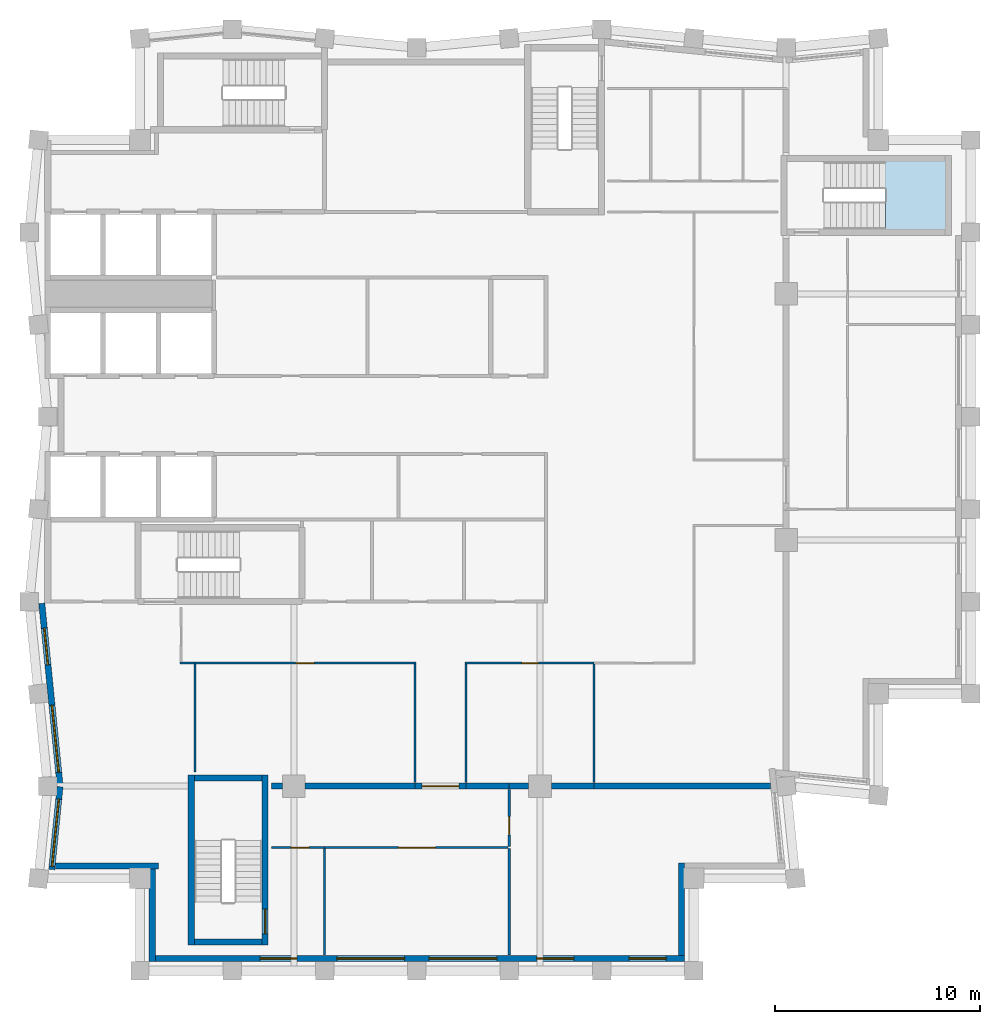
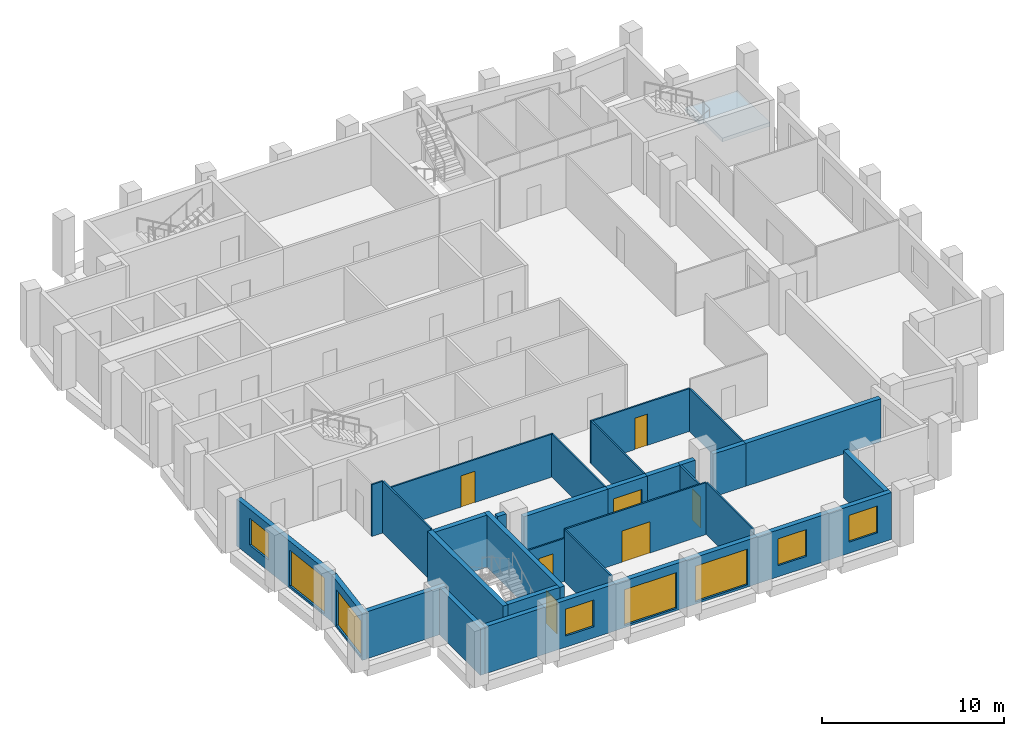
# One storey, part 2 of 7: 29 walls, 8 windows, 7 doors, 1 slab, 15 openings, 1 element without a shape of its own.
"""IFC4 building model written with IfcOpenShell, lengths in metres."""

from ifc_helpers import new_model, si_unit, direction, frame, frame_2d, origin, place, context, subcontext, project, spatial, polyline, rectangle, outline, extrude, material, layer, layer_set, type_object, element, fill, aggregate, save


model = new_model("IFC4")

# Units and contexts
model_context = context("Model", 3, precision=1e-05, world=origin(), true_north=direction((0.0, 1.0)))
body_context = subcontext(model_context, "Body", "Model", "MODEL_VIEW")
ifc_project = project(units=[si_unit("LENGTHUNIT", "METRE"), si_unit("AREAUNIT", "SQUARE_METRE"), si_unit("VOLUMEUNIT", "CUBIC_METRE"), si_unit("PLANEANGLEUNIT", "RADIAN"), si_unit("MASSUNIT", "GRAM", prefix="KILO")], contexts=[model_context])

# Site, building, storey
site_placement = place(None, origin())
site = spatial("IfcSite", under=ifc_project, at=site_placement, CompositionType="ELEMENT")
building_placement = place(site_placement, origin())
building = spatial("IfcBuilding", under=site, at=building_placement, Name="Brondeck Convention Tower", CompositionType="ELEMENT")
storey_placement = place(building_placement, frame((0.0, 0.0, 263.800048828125)))
storey = spatial("IfcBuildingStorey", under=building, at=storey_placement, Name="L65", CompositionType="ELEMENT", Elevation=263.800048828125)

# Stair, slab
ifc_material_1 = material(Name="Precast concrete C50/60", Category="concrete")
stair_type = type_object("IfcStairType", Name="Core stair 22 risers 172.73 mm riser 300 mm going 1350 wide", PredefinedType="HALF_TURN_STAIR", material=ifc_material_1)
stair_placement = place(storey_placement, origin())
stair = element("IfcStair", 1, at=stair_placement, inside=storey, type_object=stair_type, Name="ST-AE L65 stair", PredefinedType="HALF_TURN_STAIR")
ifc_layer_1 = layer(ifc_material_1, 0.25)
ifc_layer_set_1 = layer_set([ifc_layer_1], Name="Core stair landing 250 Precast concrete C50/60")
slab_type = type_object("IfcSlabType", Name="Core stair landing 250 Precast concrete C50/60", PredefinedType="LANDING", material=ifc_layer_set_1)
slab_placement = place(storey_placement, frame((0.0, 0.0, 1.64990234375)))
slab = element("IfcSlab", 2, at=slab_placement, type_object=slab_type, Name="ST-AE landing 1", PredefinedType="LANDING", context=body_context, shape_type="SweptSolid", body=[
    extrude(outline(polyline([(40.847900390625, 55.5), (40.85009765625, 55.5), (40.85009765625, 56.10009765625), (40.550048828125, 56.10009765625), (40.550048828125, 57.570068359375), (43.8701171875, 57.570068359375), (43.8701171875, 54.030029296875), (40.847900390625, 54.030029296875), (40.847900390625, 55.5)])), origin(), (0.0, 0.0, 1.0), 0.25),
])
aggregate(stair, [slab])

# Walls
ifc_material_2 = material(Name="Concrete compartment wall C30/37", Category="concrete")
ifc_layer_2 = layer(ifc_material_2, 0.300048828125)
ifc_layer_set_2 = layer_set([ifc_layer_2], Name="Compartment wall 300")
wall_type_1 = type_object("IfcWallType", Name="Compartment wall 300", PredefinedType="PARTITIONING", material=ifc_layer_set_2)
wall_1_placement = place(storey_placement, frame((10.89990234375, 27.0, 0.0), z_axis=(0.0, 0.0, 1.0), x_axis=(1.0, 0.0, 0.0)))
element("IfcWall", 3, at=wall_1_placement, inside=storey, type_object=wall_type_1, Name="FLR-L65-W011", PredefinedType="PARTITIONING", context=body_context, shape_type="SweptSolid", body=[
    extrude(rectangle(XDim=0.545166015625, YDim=0.300048828125, at=frame_2d((0.2724609375, 0.0))), origin(), (0.0, 0.0, 1.0), 3.47998046875),
])
wall_2_placement = place(storey_placement, frame((12.554931640625, 27.0, 0.0), z_axis=(0.0, 0.0, 1.0), x_axis=(1.0, 0.0, 0.0)))
element("IfcWall", 4, at=wall_2_placement, inside=storey, type_object=wall_type_1, Name="FLR-L65-W012", PredefinedType="PARTITIONING", context=body_context, shape_type="SweptSolid", body=[
    extrude(rectangle(XDim=5.344970703125, YDim=0.300048828125, at=frame_2d((2.67236328125, 0.0))), origin(), (0.0, 0.0, 1.0), 2.8798828125),
])

# Wall, opening, door
wall_3_placement = place(storey_placement, frame((20.39990234375, 27.0, 0.0), z_axis=(0.0, 0.0, 1.0), x_axis=(-1.0, 0.0, 0.0)))
wall_3 = element("IfcWall", 5, at=wall_3_placement, inside=storey, type_object=wall_type_1, Name="FLR-L65-W013", PredefinedType="PARTITIONING", context=body_context, shape_type="SweptSolid", body=[
    extrude(rectangle(XDim=2.5, YDim=0.300048828125, at=frame_2d((1.25, 0.0))), origin(), (0.0, 0.0, 1.0), 2.8798828125),
])
opening_1_placement = place(wall_3_placement, frame((0.35009765625, 0.0, 0.0)))
opening_1 = element("IfcOpeningElement", 6, at=opening_1_placement, cuts=wall_3, Name="Opening EX-B-018", PredefinedType="OPENING", context=body_context, shape_type="SweptSolid", body=[
    extrude(rectangle(XDim=1.800048828125, YDim=2.10009765625, at=frame_2d((0.89990234375, 1.050048828125))), frame((0.0, 0.159912109375, 0.0), z_axis=(0.0, -1.0, 0.0), x_axis=(1.0, 0.0, 0.0)), (0.0, 0.0, 1.0), 0.320068359375),
])
ifc_material_3 = material(Name="Steel fire door pair", Category="steel")
door_type_1 = type_object("IfcDoorType", Name="Fire door pair 1800", OperationType="DOUBLE_DOOR_SINGLE_SWING", PredefinedType="DOOR", material=ifc_material_3)
door_1_placement = place(opening_1_placement, origin())
door_1 = element("IfcDoor", 7, at=door_1_placement, inside=storey, type_object=door_type_1, Name="Door EX-B-018", OperationType="DOUBLE_DOOR_SINGLE_SWING", OverallHeight=2.10009765625, OverallWidth=1.800048828125, PredefinedType="DOOR", context=body_context, shape_type="SweptSolid", body=[
    extrude(rectangle(XDim=1.800048828125, YDim=2.10009765625, at=frame_2d((0.89990234375, 1.050048828125))), frame((0.0, 0.02490234375, 0.0), z_axis=(0.0, -1.0, 0.0), x_axis=(1.0, 0.0, 0.0)), (0.0, 0.0, 1.0), 0.050048828125),
])
fill(opening_1, door_1)

# Walls
wall_4_placement = place(storey_placement, frame((20.39990234375, 27.0, 0.0), z_axis=(0.0, 0.0, 1.0), x_axis=(1.0, 0.0, 0.0)))
element("IfcWall", 8, at=wall_4_placement, inside=storey, type_object=wall_type_1, Name="FLR-L65-W014", PredefinedType="PARTITIONING", context=body_context, shape_type="SweptSolid", body=[
    extrude(rectangle(XDim=2.10009765625, YDim=0.300048828125, at=frame_2d((1.050048828125, 0.0))), origin(), (0.0, 0.0, 1.0), 2.8798828125),
])
wall_5_placement = place(storey_placement, frame((22.5, 27.0, 0.0), z_axis=(0.0, 0.0, 1.0), x_axis=(1.0, 0.0, 0.0)))
element("IfcWall", 9, at=wall_5_placement, inside=storey, type_object=wall_type_1, Name="FLR-L65-W015", PredefinedType="PARTITIONING", context=body_context, shape_type="SweptSolid", body=[
    extrude(rectangle(XDim=0.945068359375, YDim=0.300048828125, at=frame_2d((0.47265625, 0.0))), origin(), (0.0, 0.0, 1.0), 2.8798828125),
])
wall_6_placement = place(storey_placement, frame((24.554931640625, 27.0, 0.0), z_axis=(0.0, 0.0, 1.0), x_axis=(1.0, 0.0, 0.0)))
element("IfcWall", 10, at=wall_6_placement, inside=storey, type_object=wall_type_1, Name="FLR-L65-W016", PredefinedType="PARTITIONING", context=body_context, shape_type="SweptSolid", body=[
    extrude(rectangle(XDim=2.0849609375, YDim=0.300048828125, at=frame_2d((1.04248046875, 0.0))), origin(), (0.0, 0.0, 1.0), 2.8798828125),
])
wall_7_placement = place(storey_placement, frame((26.639892578125, 27.0, 0.0), z_axis=(0.0, 0.0, 1.0), x_axis=(1.0, 0.0, 0.0)))
element("IfcWall", 11, at=wall_7_placement, inside=storey, type_object=wall_type_1, Name="FLR-L65-W017", PredefinedType="PARTITIONING", context=body_context, shape_type="SweptSolid", body=[
    extrude(rectangle(XDim=8.58642578125, YDim=0.300048828125, at=frame_2d((4.293212890625, 0.0))), origin(), (0.0, 0.0, 1.0), 2.8798828125),
])

# Wall, openings, windows
ifc_material_4 = material(Name="Precast concrete C50/60 bronze finish", Category="concrete")
ifc_layer_3 = layer(ifc_material_4, 0.070068359375, Name="Bronze precast facing")
ifc_material_5 = material(Name="Mineral wool")
ifc_layer_4 = layer(ifc_material_5, 0.159912109375, Name="Insulation")
ifc_material_6 = material(Name="Concrete C35/45", Category="concrete")
ifc_layer_5 = layer(ifc_material_6, 0.070068359375, Name="Backing")
ifc_layer_set_3 = layer_set([ifc_layer_3, ifc_layer_4, ifc_layer_5], Name="External infill wall, precast concrete C50/60 bronze facing")
wall_type_2 = type_object("IfcWallType", Name="External infill wall, precast concrete C50/60 bronze facing", PredefinedType="SOLIDWALL", material=ifc_layer_set_3)
wall_8_placement = place(storey_placement, frame((31.050048828125, 18.60009765625, 0.0), z_axis=(0.0, 0.0, 1.0), x_axis=(-1.0, 0.0, 0.0)))
wall_8 = element("IfcWall", 12, at=wall_8_placement, inside=storey, type_object=wall_type_2, Name="ENV-EW-L65-P3-B-S18-01", PredefinedType="SOLIDWALL", context=body_context, shape_type="SweptSolid", body=[
    extrude(rectangle(XDim=25.800048828125, YDim=0.300048828125, at=frame_2d((12.89990234375, 0.0))), origin(), (0.0, 0.0, 1.0), 3.14990234375),
])
opening_2_placement = place(wall_8_placement, frame((0.89990234375, 0.0, 0.75)))
opening_2 = element("IfcOpeningElement", 13, at=opening_2_placement, cuts=wall_8, Name="Opening W10", PredefinedType="OPENING", context=body_context, shape_type="SweptSolid", body=[
    extrude(rectangle(XDim=1.800048828125, YDim=1.800048828125, at=frame_2d((0.89990234375, 0.89990234375))), frame((0.0, 0.159912109375, 0.0), z_axis=(0.0, -1.0, 0.0), x_axis=(1.0, 0.0, 0.0)), (0.0, 0.0, 1.0), 0.320068359375),
])
opening_3_placement = place(wall_8_placement, frame((5.39990234375, 0.0, 0.75)))
opening_3 = element("IfcOpeningElement", 14, at=opening_3_placement, cuts=wall_8, Name="Opening W10", PredefinedType="OPENING", context=body_context, shape_type="SweptSolid", body=[
    extrude(rectangle(XDim=1.800048828125, YDim=1.800048828125, at=frame_2d((0.89990234375, 0.89990234375))), frame((0.0, 0.159912109375, 0.0), z_axis=(0.0, -1.0, 0.0), x_axis=(1.0, 0.0, 0.0)), (0.0, 0.0, 1.0), 0.320068359375),
])
opening_4_placement = place(wall_8_placement, frame((9.14990234375, 0.0, 0.14990234375)))
opening_4 = element("IfcOpeningElement", 15, at=opening_4_placement, cuts=wall_8, Name="Opening W9", PredefinedType="OPENING", context=body_context, shape_type="SweptSolid", body=[
    extrude(rectangle(XDim=3.300048828125, YDim=2.39990234375, at=frame_2d((1.64990234375, 1.199951171875))), frame((0.0, 0.159912109375, 0.0), z_axis=(0.0, -1.0, 0.0), x_axis=(1.0, 0.0, 0.0)), (0.0, 0.0, 1.0), 0.320068359375),
])
opening_5_placement = place(wall_8_placement, frame((13.64990234375, 0.0, 0.14990234375)))
opening_5 = element("IfcOpeningElement", 16, at=opening_5_placement, cuts=wall_8, Name="Opening W9", PredefinedType="OPENING", context=body_context, shape_type="SweptSolid", body=[
    extrude(rectangle(XDim=3.300048828125, YDim=2.39990234375, at=frame_2d((1.64990234375, 1.199951171875))), frame((0.0, 0.159912109375, 0.0), z_axis=(0.0, -1.0, 0.0), x_axis=(1.0, 0.0, 0.0)), (0.0, 0.0, 1.0), 0.320068359375),
])
opening_6_placement = place(wall_8_placement, frame((18.89990234375, 0.0, 0.75)))
opening_6 = element("IfcOpeningElement", 17, at=opening_6_placement, cuts=wall_8, Name="Opening W10", PredefinedType="OPENING", context=body_context, shape_type="SweptSolid", body=[
    extrude(rectangle(XDim=1.800048828125, YDim=1.800048828125, at=frame_2d((0.89990234375, 0.89990234375))), frame((0.0, 0.159912109375, 0.0), z_axis=(0.0, -1.0, 0.0), x_axis=(1.0, 0.0, 0.0)), (0.0, 0.0, 1.0), 0.320068359375),
])
ifc_material_7 = material(Name="Bronze tinted double glazing", Category="glass")
window_type_1 = type_object("IfcWindowType", Name="Glazed flute window, bronze tinted", PartitioningType="SINGLE_PANEL", PredefinedType="WINDOW", material=ifc_material_7)
window_1_placement = place(opening_4_placement, origin())
window_1 = element("IfcWindow", 18, at=window_1_placement, inside=storey, type_object=window_type_1, Name="ENV-WN-L65-P3-B-S18-04", OverallHeight=2.39990234375, OverallWidth=3.300048828125, PartitioningType="SINGLE_PANEL", PredefinedType="WINDOW", context=body_context, shape_type="SweptSolid", body=[
    extrude(rectangle(XDim=3.300048828125, YDim=2.39990234375, at=frame_2d((1.64990234375, 1.199951171875))), frame((0.0, 0.030029296875, 0.0), z_axis=(0.0, -1.0, 0.0), x_axis=(1.0, 0.0, 0.0)), (0.0, 0.0, 1.0), 0.06005859375),
])
fill(opening_4, window_1)
window_2_placement = place(opening_5_placement, origin())
window_2 = element("IfcWindow", 19, at=window_2_placement, inside=storey, type_object=window_type_1, Name="ENV-WN-L65-P3-B-S18-03", OverallHeight=2.39990234375, OverallWidth=3.300048828125, PartitioningType="SINGLE_PANEL", PredefinedType="WINDOW", context=body_context, shape_type="SweptSolid", body=[
    extrude(rectangle(XDim=3.300048828125, YDim=2.39990234375, at=frame_2d((1.64990234375, 1.199951171875))), frame((0.0, 0.030029296875, 0.0), z_axis=(0.0, -1.0, 0.0), x_axis=(1.0, 0.0, 0.0)), (0.0, 0.0, 1.0), 0.06005859375),
])
fill(opening_5, window_2)
window_type_2 = type_object("IfcWindowType", Name="Punched window, bronze tinted", PartitioningType="SINGLE_PANEL", PredefinedType="WINDOW", material=ifc_material_7)
window_3_placement = place(opening_2_placement, origin())
window_3 = element("IfcWindow", 20, at=window_3_placement, inside=storey, type_object=window_type_2, Name="ENV-WN-L65-P3-B-S18-06", OverallHeight=1.800048828125, OverallWidth=1.800048828125, PartitioningType="SINGLE_PANEL", PredefinedType="WINDOW", context=body_context, shape_type="SweptSolid", body=[
    extrude(rectangle(XDim=1.800048828125, YDim=1.800048828125, at=frame_2d((0.89990234375, 0.89990234375))), frame((0.0, 0.030029296875, 0.0), z_axis=(0.0, -1.0, 0.0), x_axis=(1.0, 0.0, 0.0)), (0.0, 0.0, 1.0), 0.06005859375),
])
fill(opening_2, window_3)
window_4_placement = place(opening_3_placement, origin())
window_4 = element("IfcWindow", 21, at=window_4_placement, inside=storey, type_object=window_type_2, Name="ENV-WN-L65-P3-B-S18-05", OverallHeight=1.800048828125, OverallWidth=1.800048828125, PartitioningType="SINGLE_PANEL", PredefinedType="WINDOW", context=body_context, shape_type="SweptSolid", body=[
    extrude(rectangle(XDim=1.800048828125, YDim=1.800048828125, at=frame_2d((0.89990234375, 0.89990234375))), frame((0.0, 0.030029296875, 0.0), z_axis=(0.0, -1.0, 0.0), x_axis=(1.0, 0.0, 0.0)), (0.0, 0.0, 1.0), 0.06005859375),
])
fill(opening_3, window_4)
window_5_placement = place(opening_6_placement, origin())
window_5 = element("IfcWindow", 22, at=window_5_placement, inside=storey, type_object=window_type_2, Name="ENV-WN-L65-P3-B-S18-02", OverallHeight=1.800048828125, OverallWidth=1.800048828125, PartitioningType="SINGLE_PANEL", PredefinedType="WINDOW", context=body_context, shape_type="SweptSolid", body=[
    extrude(rectangle(XDim=1.800048828125, YDim=1.800048828125, at=frame_2d((0.89990234375, 0.89990234375))), frame((0.0, 0.030029296875, 0.0), z_axis=(0.0, -1.0, 0.0), x_axis=(1.0, 0.0, 0.0)), (0.0, 0.0, 1.0), 0.06005859375),
])
fill(opening_6, window_5)

# Wall
wall_9_placement = place(storey_placement, frame((30.89990234375, 23.25, 0.0), z_axis=(0.0, 0.0, 1.0), x_axis=(0.0, -1.0, 0.0)))
element("IfcWall", 23, at=wall_9_placement, inside=storey, type_object=wall_type_2, Name="ENV-EW-L65-P3-NC-SEB18-01", PredefinedType="SOLIDWALL", context=body_context, shape_type="SweptSolid", body=[
    extrude(rectangle(XDim=4.5, YDim=0.300048828125, at=frame_2d((2.25, 0.0))), origin(), (0.0, 0.0, 1.0), 3.14990234375),
])

# Wall, openings, windows
wall_10_placement = place(storey_placement, frame((0.6044921875, 26.985107421875, 0.0), z_axis=(0.0, 0.0, 1.0), x_axis=(-0.099509108728, 0.995036651225, 0.0)))
wall_10 = element("IfcWall", 24, at=wall_10_placement, inside=storey, type_object=wall_type_2, Name="ENV-EW-L65-P3-B-W-06", PredefinedType="SOLIDWALL", context=body_context, shape_type="SweptSolid", body=[
    extrude(rectangle(XDim=8.9697265625, YDim=0.300048828125, at=frame_2d((4.48486328125, 0.0))), origin(), (0.0, 0.0, 1.0), 3.14990234375),
])
opening_7_placement = place(wall_10_placement, frame((0.686279296875, 0.0, 0.14990234375)))
opening_7 = element("IfcOpeningElement", 25, at=opening_7_placement, cuts=wall_10, Name="Opening W9", PredefinedType="OPENING", context=body_context, shape_type="SweptSolid", body=[
    extrude(rectangle(XDim=3.300048828125, YDim=2.39990234375, at=frame_2d((1.64990234375, 1.199951171875))), frame((0.0, 0.159912109375, 0.0), z_axis=(0.0, -1.0, 0.0), x_axis=(1.0, 0.0, 0.0)), (0.0, 0.0, 1.0), 0.320068359375),
])
opening_8_placement = place(wall_10_placement, frame((5.95849609375, 0.0, 0.75)))
opening_8 = element("IfcOpeningElement", 26, at=opening_8_placement, cuts=wall_10, Name="Opening W10", PredefinedType="OPENING", context=body_context, shape_type="SweptSolid", body=[
    extrude(rectangle(XDim=1.800048828125, YDim=1.800048828125, at=frame_2d((0.89990234375, 0.89990234375))), frame((0.0, 0.159912109375, 0.0), z_axis=(0.0, -1.0, 0.0), x_axis=(1.0, 0.0, 0.0)), (0.0, 0.0, 1.0), 0.320068359375),
])
window_6_placement = place(opening_7_placement, origin())
window_6 = element("IfcWindow", 27, at=window_6_placement, inside=storey, type_object=window_type_1, Name="ENV-WN-L65-P3-B-W-07", OverallHeight=2.39990234375, OverallWidth=3.300048828125, PartitioningType="SINGLE_PANEL", PredefinedType="WINDOW", context=body_context, shape_type="SweptSolid", body=[
    extrude(rectangle(XDim=3.300048828125, YDim=2.39990234375, at=frame_2d((1.64990234375, 1.199951171875))), frame((0.0, 0.030029296875, 0.0), z_axis=(0.0, -1.0, 0.0), x_axis=(1.0, 0.0, 0.0)), (0.0, 0.0, 1.0), 0.06005859375),
])
fill(opening_7, window_6)
window_7_placement = place(opening_8_placement, origin())
window_7 = element("IfcWindow", 28, at=window_7_placement, inside=storey, type_object=window_type_2, Name="ENV-WN-L65-P3-B-W-06", OverallHeight=1.800048828125, OverallWidth=1.800048828125, PartitioningType="SINGLE_PANEL", PredefinedType="WINDOW", context=body_context, shape_type="SweptSolid", body=[
    extrude(rectangle(XDim=1.800048828125, YDim=1.800048828125, at=frame_2d((0.89990234375, 0.89990234375))), frame((0.0, 0.030029296875, 0.0), z_axis=(0.0, -1.0, 0.0), x_axis=(1.0, 0.0, 0.0)), (0.0, 0.0, 1.0), 0.06005859375),
])
fill(opening_8, window_7)

# Wall, opening, window
wall_11_placement = place(storey_placement, frame((0.196533203125, 22.93505859375, 0.0), z_axis=(0.0, 0.0, 1.0), x_axis=(0.09951564041, 0.995035997999, 0.0)))
wall_11 = element("IfcWall", 29, at=wall_11_placement, inside=storey, type_object=wall_type_2, Name="ENV-EW-L65-P3-B-W-08", PredefinedType="SOLIDWALL", context=body_context, shape_type="SweptSolid", body=[
    extrude(rectangle(XDim=4.05517578125, YDim=0.300048828125, at=frame_2d((2.027587890625, 0.0))), origin(), (0.0, 0.0, 1.0), 3.14990234375),
])
opening_9_placement = place(wall_11_placement, frame((0.14990234375, 0.0, 0.14990234375)))
opening_9 = element("IfcOpeningElement", 30, at=opening_9_placement, cuts=wall_11, Name="Opening W9", PredefinedType="OPENING", context=body_context, shape_type="SweptSolid", body=[
    extrude(rectangle(XDim=3.300048828125, YDim=2.39990234375, at=frame_2d((1.64990234375, 1.199951171875))), frame((0.0, 0.159912109375, 0.0), z_axis=(0.0, -1.0, 0.0), x_axis=(1.0, 0.0, 0.0)), (0.0, 0.0, 1.0), 0.320068359375),
])
window_8_placement = place(opening_9_placement, origin())
window_8 = element("IfcWindow", 31, at=window_8_placement, inside=storey, type_object=window_type_1, Name="ENV-WN-L65-P3-B-W-08", OverallHeight=2.39990234375, OverallWidth=3.300048828125, PartitioningType="SINGLE_PANEL", PredefinedType="WINDOW", context=body_context, shape_type="SweptSolid", body=[
    extrude(rectangle(XDim=3.300048828125, YDim=2.39990234375, at=frame_2d((1.64990234375, 1.199951171875))), frame((0.0, 0.030029296875, 0.0), z_axis=(0.0, -1.0, 0.0), x_axis=(1.0, 0.0, 0.0)), (0.0, 0.0, 1.0), 0.06005859375),
])
fill(opening_9, window_8)

# Walls
wall_12_placement = place(storey_placement, frame((5.39990234375, 23.10009765625, 0.0), z_axis=(0.0, 0.0, 1.0), x_axis=(-1.0, 0.0, 0.0)))
element("IfcWall", 32, at=wall_12_placement, inside=storey, type_object=wall_type_2, Name="ENV-EW-L65-P3-NC-SWB18-01", PredefinedType="SOLIDWALL", context=body_context, shape_type="SweptSolid", body=[
    extrude(rectangle(XDim=5.031005859375, YDim=0.300048828125, at=frame_2d((2.515625, 0.0))), origin(), (0.0, 0.0, 1.0), 3.14990234375),
])
wall_13_placement = place(storey_placement, frame((5.10009765625, 18.449951171875, 0.0), z_axis=(0.0, 0.0, 1.0), x_axis=(0.0, 1.0, 0.0)))
element("IfcWall", 33, at=wall_13_placement, inside=storey, type_object=wall_type_2, Name="ENV-EW-L65-P3-NC-SWB18-02", PredefinedType="SOLIDWALL", context=body_context, shape_type="SweptSolid", body=[
    extrude(rectangle(XDim=4.5, YDim=0.300048828125, at=frame_2d((2.25, 0.0))), origin(), (0.0, 0.0, 1.0), 3.14990234375),
])
ifc_material_8 = material(Name="Gypsum board partition on steel studs", Category="steel")
ifc_layer_6 = layer(ifc_material_8, 0.10009765625)
ifc_layer_set_4 = layer_set([ifc_layer_6], Name="Room partition 100")
wall_type_3 = type_object("IfcWallType", Name="Room partition 100", PredefinedType="PARTITIONING", material=ifc_layer_set_4)
for number, where, z_axis, x_axis, name in (
    (34, (13.5, 18.77001953125, 0.0), (0.0, 0.0, 1.0), (0.0, 1.0, 0.0), "FLR-L65-W001"),
    (35, (22.5, 23.949951171875, 0.0), (0.0, 0.0, 1.0), (0.0, -1.0, 0.0), "FLR-L65-W006"),
):
    element("IfcWall", number, at=place(storey_placement, frame(where, z_axis=z_axis, x_axis=x_axis)), inside=storey, type_object=wall_type_3, Name=name, PredefinedType="PARTITIONING", context=body_context, shape_type="SweptSolid", body=[
        extrude(rectangle(XDim=5.179931640625, YDim=0.10009765625, at=frame_2d((2.58984375, 0.0))), origin(), (0.0, 0.0, 1.0), 3.47998046875),
    ])

# Wall, opening, door
wall_14_placement = place(storey_placement, frame((13.5, 24.0, 0.0), z_axis=(0.0, 0.0, 1.0), x_axis=(-1.0, 0.0, 0.0)))
wall_14 = element("IfcWall", 36, at=wall_14_placement, inside=storey, type_object=wall_type_3, Name="FLR-L65-W007", PredefinedType="PARTITIONING", context=body_context, shape_type="SweptSolid", body=[
    extrude(rectangle(XDim=2.60009765625, YDim=0.10009765625, at=frame_2d((1.300048828125, 0.0))), origin(), (0.0, 0.0, 1.0), 2.8798828125),
])
opening_10_placement = place(wall_14_placement, frame((0.75, 0.0, 0.0)))
opening_10 = element("IfcOpeningElement", 37, at=opening_10_placement, cuts=wall_14, Name="Opening EX-B-005", PredefinedType="OPENING", context=body_context, shape_type="SweptSolid", body=[
    extrude(rectangle(XDim=0.89990234375, YDim=2.10009765625, at=frame_2d((0.449951171875, 1.050048828125))), frame((0.0, 0.06005859375, 0.0), z_axis=(0.0, -1.0, 0.0), x_axis=(1.0, 0.0, 0.0)), (0.0, 0.0, 1.0), 0.1201171875),
])
ifc_material_9 = material(Name="Solid timber door leaf", Category="wood")
door_type_2 = type_object("IfcDoorType", Name="Single door 900", OperationType="NOTDEFINED", PredefinedType="DOOR", material=ifc_material_9)
door_2_placement = place(opening_10_placement, origin())
door_2 = element("IfcDoor", 38, at=door_2_placement, inside=storey, type_object=door_type_2, Name="Door EX-B-005", OperationType="SINGLE_SWING_LEFT", OverallHeight=2.10009765625, OverallWidth=0.89990234375, PredefinedType="DOOR", context=body_context, shape_type="SweptSolid", body=[
    extrude(rectangle(XDim=0.89990234375, YDim=2.10009765625, at=frame_2d((0.449951171875, 1.050048828125))), frame((0.0, 0.02490234375, 0.0), z_axis=(0.0, -1.0, 0.0), x_axis=(1.0, 0.0, 0.0)), (0.0, 0.0, 1.0), 0.050048828125),
])
fill(opening_10, door_2)

wall_15_placement = place(storey_placement, frame((22.449951171875, 24.0, 0.0), z_axis=(0.0, 0.0, 1.0), x_axis=(-1.0, 0.0, 0.0)))
wall_15 = element("IfcWall", 39, at=wall_15_placement, inside=storey, type_object=wall_type_3, Name="FLR-L65-W008", PredefinedType="PARTITIONING", context=body_context, shape_type="SweptSolid", body=[
    extrude(rectangle(XDim=8.949951171875, YDim=0.10009765625, at=frame_2d((4.47509765625, 0.0))), origin(), (0.0, 0.0, 1.0), 3.47998046875),
])
opening_11_placement = place(wall_15_placement, frame((3.550048828125, 0.0, 0.0)))
opening_11 = element("IfcOpeningElement", 40, at=opening_11_placement, cuts=wall_15, Name="Opening EX-B-004", PredefinedType="OPENING", context=body_context, shape_type="SweptSolid", body=[
    extrude(rectangle(XDim=1.800048828125, YDim=2.10009765625, at=frame_2d((0.89990234375, 1.050048828125))), frame((0.0, 0.06005859375, 0.0), z_axis=(0.0, -1.0, 0.0), x_axis=(1.0, 0.0, 0.0)), (0.0, 0.0, 1.0), 0.1201171875),
])
ifc_material_10 = material(Name="Glazed timber double door", Category="wood")
door_type_3 = type_object("IfcDoorType", Name="Double door 1800", OperationType="DOUBLE_DOOR_SINGLE_SWING", PredefinedType="DOOR", material=ifc_material_10)
door_3_placement = place(opening_11_placement, origin())
door_3 = element("IfcDoor", 41, at=door_3_placement, inside=storey, type_object=door_type_3, Name="Door EX-B-004", OperationType="DOUBLE_DOOR_SINGLE_SWING", OverallHeight=2.10009765625, OverallWidth=1.800048828125, PredefinedType="DOOR", context=body_context, shape_type="SweptSolid", body=[
    extrude(rectangle(XDim=1.800048828125, YDim=2.10009765625, at=frame_2d((0.89990234375, 1.050048828125))), frame((0.0, 0.02490234375, 0.0), z_axis=(0.0, -1.0, 0.0), x_axis=(1.0, 0.0, 0.0)), (0.0, 0.0, 1.0), 0.050048828125),
])
fill(opening_11, door_3)

wall_16_placement = place(storey_placement, frame((22.5, 26.830078125, 0.0), z_axis=(0.0, 0.0, 1.0), x_axis=(0.0, -1.0, 0.0)))
wall_16 = element("IfcWall", 42, at=wall_16_placement, inside=storey, type_object=wall_type_3, Name="FLR-L65-W009", PredefinedType="PARTITIONING", context=body_context, shape_type="SweptSolid", body=[
    extrude(rectangle(XDim=2.780029296875, YDim=0.10009765625, at=frame_2d((1.39013671875, 0.0))), origin(), (0.0, 0.0, 1.0), 2.8798828125),
])
opening_12_placement = place(wall_16_placement, frame((1.31005859375, 0.0, 0.0)))
opening_12 = element("IfcOpeningElement", 43, at=opening_12_placement, cuts=wall_16, Name="Opening EX-B-006", PredefinedType="OPENING", context=body_context, shape_type="SweptSolid", body=[
    extrude(rectangle(XDim=0.89990234375, YDim=2.10009765625, at=frame_2d((0.449951171875, 1.050048828125))), frame((0.0, 0.06005859375, 0.0), z_axis=(0.0, -1.0, 0.0), x_axis=(1.0, 0.0, 0.0)), (0.0, 0.0, 1.0), 0.1201171875),
])
door_4_placement = place(opening_12_placement, origin())
door_4 = element("IfcDoor", 44, at=door_4_placement, inside=storey, type_object=door_type_2, Name="Door EX-B-006", OperationType="SINGLE_SWING_LEFT", OverallHeight=2.10009765625, OverallWidth=0.89990234375, PredefinedType="DOOR", context=body_context, shape_type="SweptSolid", body=[
    extrude(rectangle(XDim=0.89990234375, YDim=2.10009765625, at=frame_2d((0.449951171875, 1.050048828125))), frame((0.0, 0.02490234375, 0.0), z_axis=(0.0, -1.0, 0.0), x_axis=(1.0, 0.0, 0.0)), (0.0, 0.0, 1.0), 0.050048828125),
])
fill(opening_12, door_4)

# Walls
wall_17_placement = place(storey_placement, frame((17.89990234375, 27.169921875, 0.0), z_axis=(0.0, 0.0, 1.0), x_axis=(0.0, 1.0, 0.0)))
element("IfcWall", 45, at=wall_17_placement, inside=storey, type_object=wall_type_3, Name="FLR-L65-W018", PredefinedType="PARTITIONING", context=body_context, shape_type="SweptSolid", body=[
    extrude(rectangle(XDim=5.780029296875, YDim=0.10009765625, at=frame_2d((2.89013671875, 0.0))), origin(), (0.0, 0.0, 1.0), 2.8798828125),
])
wall_18_placement = place(storey_placement, frame((7.172119140625, 32.949951171875, 0.0), z_axis=(0.0, 0.0, 1.0), x_axis=(0.0, -1.0, 0.0)))
element("IfcWall", 46, at=wall_18_placement, inside=storey, type_object=wall_type_3, Name="FLR-L65-W022", PredefinedType="PARTITIONING", context=body_context, shape_type="SweptSolid", body=[
    extrude(rectangle(XDim=5.25, YDim=0.10009765625, at=frame_2d((2.625, 0.0))), origin(), (0.0, 0.0, 1.0), 3.47998046875),
])
for number, where, z_axis, x_axis, name in (
    (47, (20.39990234375, 32.949951171875, 0.0), (0.0, 0.0, 1.0), (0.0, -1.0, 0.0), "FLR-L65-W023"),
    (48, (26.639892578125, 32.949951171875, 0.0), (0.0, 0.0, 1.0), (0.0, -1.0, 0.0), "FLR-L65-W024"),
):
    element("IfcWall", number, at=place(storey_placement, frame(where, z_axis=z_axis, x_axis=x_axis)), inside=storey, type_object=wall_type_3, Name=name, PredefinedType="PARTITIONING", context=body_context, shape_type="SweptSolid", body=[
        extrude(rectangle(XDim=5.780029296875, YDim=0.10009765625, at=frame_2d((2.89013671875, 0.0))), origin(), (0.0, 0.0, 1.0), 2.8798828125),
    ])
wall_19_placement = place(storey_placement, frame((7.172119140625, 33.0, 0.0), z_axis=(0.0, 0.0, 1.0), x_axis=(-1.0, 0.0, 0.0)))
element("IfcWall", 49, at=wall_19_placement, inside=storey, type_object=wall_type_3, Name="FLR-L65-W025", PredefinedType="PARTITIONING", context=body_context, shape_type="SweptSolid", body=[
    extrude(rectangle(XDim=0.72216796875, YDim=0.10009765625, at=frame_2d((0.361083984375, 0.0))), origin(), (0.0, 0.0, 1.0), 3.47998046875),
])

# Wall, opening, door
wall_20_placement = place(storey_placement, frame((17.949951171875, 33.0, 0.0), z_axis=(0.0, 0.0, 1.0), x_axis=(-1.0, 0.0, 0.0)))
wall_20 = element("IfcWall", 50, at=wall_20_placement, inside=storey, type_object=wall_type_3, Name="FLR-L65-W026", PredefinedType="PARTITIONING", context=body_context, shape_type="SweptSolid", body=[
    extrude(rectangle(XDim=10.77783203125, YDim=0.10009765625, at=frame_2d((5.388916015625, 0.0))), origin(), (0.0, 0.0, 1.0), 2.8798828125),
])
opening_13_placement = place(wall_20_placement, frame((4.964111328125, 0.0, 0.0)))
opening_13 = element("IfcOpeningElement", 51, at=opening_13_placement, cuts=wall_20, Name="Opening EX-B-013", PredefinedType="OPENING", context=body_context, shape_type="SweptSolid", body=[
    extrude(rectangle(XDim=0.89990234375, YDim=2.10009765625, at=frame_2d((0.449951171875, 1.050048828125))), frame((0.0, 0.06005859375, 0.0), z_axis=(0.0, -1.0, 0.0), x_axis=(1.0, 0.0, 0.0)), (0.0, 0.0, 1.0), 0.1201171875),
])
door_5_placement = place(opening_13_placement, origin())
door_5 = element("IfcDoor", 52, at=door_5_placement, inside=storey, type_object=door_type_2, Name="Door EX-B-013", OperationType="SINGLE_SWING_LEFT", OverallHeight=2.10009765625, OverallWidth=0.89990234375, PredefinedType="DOOR", context=body_context, shape_type="SweptSolid", body=[
    extrude(rectangle(XDim=0.89990234375, YDim=2.10009765625, at=frame_2d((0.449951171875, 1.050048828125))), frame((0.0, 0.02490234375, 0.0), z_axis=(0.0, -1.0, 0.0), x_axis=(1.0, 0.0, 0.0)), (0.0, 0.0, 1.0), 0.050048828125),
])
fill(opening_13, door_5)

wall_21_placement = place(storey_placement, frame((26.639892578125, 33.0, 0.0), z_axis=(0.0, 0.0, 1.0), x_axis=(-1.0, 0.0, 0.0)))
wall_21 = element("IfcWall", 53, at=wall_21_placement, inside=storey, type_object=wall_type_3, Name="FLR-L65-W027", PredefinedType="PARTITIONING", context=body_context, shape_type="SweptSolid", body=[
    extrude(rectangle(XDim=6.289794921875, YDim=0.10009765625, at=frame_2d((3.14501953125, 0.0))), origin(), (0.0, 0.0, 1.0), 2.8798828125),
])
opening_14_placement = place(wall_21_placement, frame((2.719970703125, 0.0, 0.0)))
opening_14 = element("IfcOpeningElement", 54, at=opening_14_placement, cuts=wall_21, Name="Opening EX-B-014", PredefinedType="OPENING", context=body_context, shape_type="SweptSolid", body=[
    extrude(rectangle(XDim=0.800048828125, YDim=2.10009765625, at=frame_2d((0.39990234375, 1.050048828125))), frame((0.0, 0.06005859375, 0.0), z_axis=(0.0, -1.0, 0.0), x_axis=(1.0, 0.0, 0.0)), (0.0, 0.0, 1.0), 0.1201171875),
])
door_type_4 = type_object("IfcDoorType", Name="En-suite door 800", OperationType="NOTDEFINED", PredefinedType="DOOR", material=ifc_material_9)
door_6_placement = place(opening_14_placement, origin())
door_6 = element("IfcDoor", 55, at=door_6_placement, inside=storey, type_object=door_type_4, Name="Door EX-B-014", OperationType="SINGLE_SWING_LEFT", OverallHeight=2.10009765625, OverallWidth=0.800048828125, PredefinedType="DOOR", context=body_context, shape_type="SweptSolid", body=[
    extrude(rectangle(XDim=0.800048828125, YDim=2.10009765625, at=frame_2d((0.39990234375, 1.050048828125))), frame((0.0, 0.02490234375, 0.0), z_axis=(0.0, -1.0, 0.0), x_axis=(1.0, 0.0, 0.0)), (0.0, 0.0, 1.0), 0.050048828125),
])
fill(opening_14, door_6)

# Walls
ifc_material_11 = material(Name="Concrete C50/60", Category="concrete")
ifc_layer_7 = layer(ifc_material_11, 0.300048828125)
ifc_layer_set_5 = layer_set([ifc_layer_7], Name="Stair enclosure wall 300 Concrete C50/60")
wall_type_4 = type_object("IfcWallType", Name="Stair enclosure wall 300 Concrete C50/60", PredefinedType="SHEAR", material=ifc_layer_set_5)
for number, where, z_axis, x_axis, name in (
    (56, (7.14990234375, 19.39990234375, 0.0), (0.0, 0.0, 1.0), (1.0, 0.0, 0.0), "L65 core wall"),
    (57, (7.14990234375, 27.39990234375, 0.0), (0.0, 0.0, 1.0), (1.0, 0.0, 0.0), "L65 core wall"),
):
    element("IfcWall", number, at=place(storey_placement, frame(where, z_axis=z_axis, x_axis=x_axis)), inside=storey, type_object=wall_type_4, Name=name, PredefinedType="SHEAR", context=body_context, shape_type="SweptSolid", body=[
        extrude(rectangle(XDim=3.300048828125, YDim=0.300048828125, at=frame_2d((1.64990234375, 0.0))), origin(), (0.0, 0.0, 1.0), 3.5),
    ])
wall_22_placement = place(storey_placement, frame((7.0, 19.25, 0.0), z_axis=(0.0, 0.0, 1.0), x_axis=(0.0, 1.0, 0.0)))
element("IfcWall", 58, at=wall_22_placement, inside=storey, type_object=wall_type_4, Name="L65 core wall", PredefinedType="SHEAR", context=body_context, shape_type="SweptSolid", body=[
    extrude(rectangle(XDim=8.300048828125, YDim=0.300048828125, at=frame_2d((4.14990234375, 0.0))), origin(), (0.0, 0.0, 1.0), 3.5),
])

# Wall, opening, door
wall_23_placement = place(storey_placement, frame((10.60009765625, 19.25, 0.0), z_axis=(0.0, 0.0, 1.0), x_axis=(0.0, 1.0, 0.0)))
wall_23 = element("IfcWall", 59, at=wall_23_placement, inside=storey, type_object=wall_type_4, Name="L65 core wall", PredefinedType="SHEAR", context=body_context, shape_type="SweptSolid", body=[
    extrude(rectangle(XDim=8.300048828125, YDim=0.300048828125, at=frame_2d((4.14990234375, 0.0))), origin(), (0.0, 0.0, 1.0), 3.5),
])
opening_15_placement = place(wall_23_placement, frame((0.550048828125, 0.0, 0.0)))
opening_15 = element("IfcOpeningElement", 60, at=opening_15_placement, cuts=wall_23, Name="Opening C36-16", PredefinedType="OPENING", context=body_context, shape_type="SweptSolid", body=[
    extrude(rectangle(XDim=1.199951171875, YDim=2.199951171875, at=frame_2d((0.60009765625, 1.10009765625))), frame((0.0, 0.159912109375, 0.0), z_axis=(0.0, -1.0, 0.0), x_axis=(1.0, 0.0, 0.0)), (0.0, 0.0, 1.0), 0.320068359375),
])
ifc_material_12 = material(Name="Steel fire door", Category="steel")
door_type_5 = type_object("IfcDoorType", Name="Stair door 1200x2200 EI 90", OperationType="NOTDEFINED", PredefinedType="DOOR", material=ifc_material_12)
door_7_placement = place(opening_15_placement, origin())
door_7 = element("IfcDoor", 61, at=door_7_placement, inside=storey, type_object=door_type_5, Name="L65 Stair door ST-BE", OperationType="SINGLE_SWING_RIGHT", OverallHeight=2.199951171875, OverallWidth=1.199951171875, PredefinedType="DOOR", context=body_context, shape_type="SweptSolid", body=[
    extrude(rectangle(XDim=1.199951171875, YDim=2.199951171875, at=frame_2d((0.60009765625, 1.10009765625))), frame((0.0, 0.02490234375, 0.0), z_axis=(0.0, -1.0, 0.0), x_axis=(1.0, 0.0, 0.0)), (0.0, 0.0, 1.0), 0.050048828125),
])
fill(opening_15, door_7)

save(model, "model.ifc")
